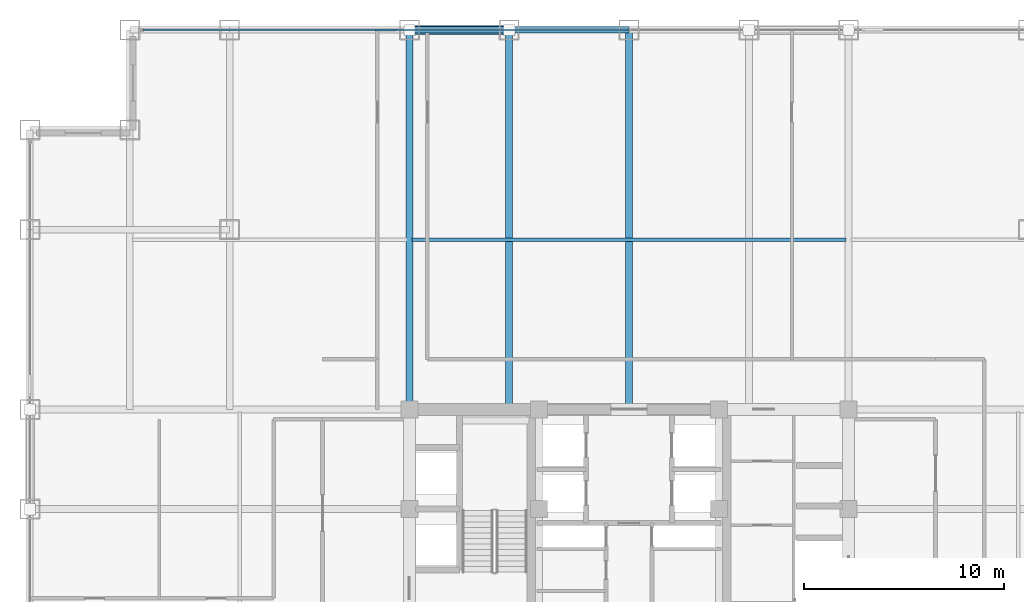
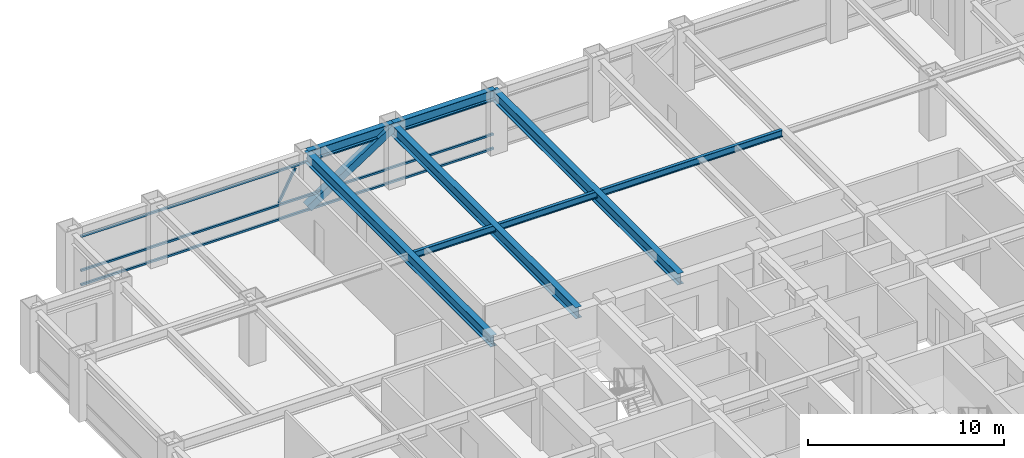
# One storey, part 15 of 24: 6 beams, 5 members, 1 element without a shape of its own.
"""IFC4 building model written with IfcOpenShell, lengths in metres."""

from ifc_helpers import new_model, si_unit, direction, frame, origin, origin_2d, place, context, subcontext, project, spatial, hollow_rectangle, i_section, extrude, source, transform, mapped, material, material_profile, profile_set, type_object, element, aggregate, save


model = new_model("IFC4")

# Units and contexts
model_context = context("Model", 3, precision=1e-05, world=origin(), true_north=direction((0.0, 1.0)))
body_context = subcontext(model_context, "Body", "Model", "MODEL_VIEW")
ifc_project = project(units=[si_unit("LENGTHUNIT", "METRE"), si_unit("AREAUNIT", "SQUARE_METRE"), si_unit("VOLUMEUNIT", "CUBIC_METRE"), si_unit("PLANEANGLEUNIT", "RADIAN"), si_unit("MASSUNIT", "GRAM", prefix="KILO")], contexts=[model_context])

# Site, building, storey
site_placement = place(None, origin())
site = spatial("IfcSite", under=ifc_project, at=site_placement, CompositionType="ELEMENT")
building_placement = place(site_placement, origin())
building = spatial("IfcBuilding", under=site, at=building_placement, Name="Khorayat Bourse Tower", CompositionType="ELEMENT")
storey_placement = place(building_placement, frame((0.0, 0.0, 215.10009765625)))
storey = spatial("IfcBuildingStorey", under=building, at=storey_placement, Name="L50", CompositionType="ELEMENT", Elevation=215.10009765625)

# Beams
ifc_material_1 = material(Name="Steel ASTM A992 Grade 50", Category="steel")
ifc_material_profile_1 = material_profile(ifc_material_1, i_section(OverallWidth=0.180908203125, OverallDepth=0.4169921875, WebThickness=0.010986328125, FlangeThickness=0.018310546875, FilletRadius=0.011962890625, at=origin_2d()), Name="W410X85")
ifc_profile_set_1 = profile_set([ifc_material_profile_1], Name="Steel ASTM A992 Grade 50")
beam_type_1 = type_object("IfcBeamType", Name="BM-JOIST-410", PredefinedType="JOIST", material=ifc_profile_set_1)
shared_shape_1 = source(origin(), body_context, "Body", "SweptSolid", [
    extrude(i_section(OverallWidth=0.180908203125, OverallDepth=0.4169921875, WebThickness=0.010986328125, FlangeThickness=0.018310546875, FilletRadius=0.011962890625, at=origin_2d()), origin(), (0.0, 0.0, 1.0), 21.740234375),
])
beam_1_placement = place(storey_placement, frame((-10.8701171875, 19.5, 3.5712890625), z_axis=(1.0, 0.0, 0.0), x_axis=(0.0, 1.0, 0.0)))
element("IfcBeam", 1, at=beam_1_placement, inside=storey, type_object=beam_type_1, Name="L50 BM-JOIST-410 BM-L50-JSTX-100", PredefinedType="JOIST", context=body_context, shape_type="MappedRepresentation", body=[
    mapped(shared_shape_1, transform((0.0, 0.0, 0.0), scale=1.0)),
])
ifc_material_profile_2 = material_profile(ifc_material_1, i_section(OverallWidth=0.324951171875, OverallDepth=0.615966796875, WebThickness=0.013916015625, FlangeThickness=0.021484375, FilletRadius=0.01611328125, at=origin_2d()), Name="W610X174")
ifc_profile_set_2 = profile_set([ifc_material_profile_2], Name="Steel ASTM A992 Grade 50")
beam_type_2 = type_object("IfcBeamType", Name="BM-SPAN-610", PredefinedType="SPANDREL", material=ifc_profile_set_2)
shared_shape_2 = source(origin(), body_context, "Body", "SweptSolid", [
    extrude(i_section(OverallWidth=0.324951171875, OverallDepth=0.615966796875, WebThickness=0.013916015625, FlangeThickness=0.021484375, FilletRadius=0.01611328125, at=origin_2d()), origin(), (0.0, 0.0, 1.0), 5.0),
])
beam_2_placement = place(storey_placement, frame((-11.0, 30.0, 3.471923828125), z_axis=(1.0, 0.0, 0.0), x_axis=(0.0, 1.0, 0.0)))
element("IfcBeam", 2, at=beam_2_placement, inside=storey, type_object=beam_type_2, Name="L50 BM-SPAN-610 BM-L50-SPN-049", PredefinedType="SPANDREL", context=body_context, shape_type="MappedRepresentation", body=[
    mapped(shared_shape_2, transform((0.0, 0.0, 0.0), scale=1.0)),
])
shared_shape_3 = source(origin(), body_context, "Body", "SweptSolid", [
    extrude(i_section(OverallWidth=0.324951171875, OverallDepth=0.615966796875, WebThickness=0.013916015625, FlangeThickness=0.021484375, FilletRadius=0.01611328125, at=origin_2d()), origin(), (0.0, 0.0, 1.0), 6.0),
])
beam_3_placement = place(storey_placement, frame((-6.0, 30.0, 3.471923828125), z_axis=(1.0, 0.0, 0.0), x_axis=(0.0, 1.0, 0.0)))
element("IfcBeam", 3, at=beam_3_placement, inside=storey, type_object=beam_type_2, Name="L50 BM-SPAN-610 BM-L50-SPN-048", PredefinedType="SPANDREL", context=body_context, shape_type="MappedRepresentation", body=[
    mapped(shared_shape_3, transform((0.0, 0.0, 0.0), scale=1.0)),
])
ifc_material_profile_3 = material_profile(ifc_material_1, i_section(OverallWidth=0.35498046875, OverallDepth=0.695068359375, WebThickness=0.015380859375, FlangeThickness=0.02490234375, FilletRadius=0.01806640625, at=origin_2d()), Name="W690X217")
ifc_profile_set_3 = profile_set([ifc_material_profile_3], Name="Steel ASTM A992 Grade 50")
beam_type_3 = type_object("IfcBeamType", Name="BM-GIRD-690", PredefinedType="BEAM", material=ifc_profile_set_3)
shared_shape_4 = source(origin(), body_context, "Body", "SweptSolid", [
    extrude(i_section(OverallWidth=0.35498046875, OverallDepth=0.695068359375, WebThickness=0.015380859375, FlangeThickness=0.02490234375, FilletRadius=0.01806640625, at=origin_2d()), origin(), (0.0, 0.0, 1.0), 19.0),
])
for number, where, z_axis, x_axis, name in (
    (4, (-11.0, 11.0, 3.432373046875), (0.0, 1.0, 0.0), (-1.0, 0.0, 0.0), "L50 BM-GIRD-690 BM-L50-RADY-064"),
    (5, (-6.0, 11.0, 3.432373046875), (0.0, 1.0, 0.0), (-1.0, 0.0, 0.0), "L50 BM-GIRD-690 BM-L50-RADY-066"),
    (6, (0.0, 11.0, 3.432373046875), (0.0, 1.0, 0.0), (-1.0, 0.0, 0.0), "L50 BM-GIRD-690 BM-L50-RADY-068"),
):
    element("IfcBeam", number, at=place(storey_placement, frame(where, z_axis=z_axis, x_axis=x_axis)), inside=storey, type_object=beam_type_3, Name=name, PredefinedType="BEAM", context=body_context, shape_type="MappedRepresentation", body=[
        mapped(shared_shape_4, transform((0.0, 0.0, 0.0), scale=1.0)),
    ])

# Member
ifc_material_2 = material(Name="Steel EN 10025-4 S460M", Category="steel")
ifc_material_profile_4 = material_profile(ifc_material_2, hollow_rectangle(XDim=0.449951171875, YDim=0.449951171875, WallThickness=0.02490234375, at=origin_2d()), Name="HSS 450x450x25")
ifc_profile_set_4 = profile_set([ifc_material_profile_4], Name="Steel EN 10025-4 S460M")
member_type_1 = type_object("IfcMemberType", Name="MBR-TUBE-450", PredefinedType="BRACE", material=ifc_profile_set_4)
shared_shape_5 = source(origin(), body_context, "Body", "SweptSolid", [
    extrude(hollow_rectangle(XDim=0.449951171875, YDim=0.449951171875, WallThickness=0.02490234375, at=origin_2d()), origin(), (0.0, 0.0, 1.0), 5.979736328125),
])
member_1_placement = place(storey_placement, frame((-11.0, 30.0, 0.25), z_axis=(0.836160261256, 0.0, 0.548485202623), x_axis=(0.0, 1.0, 0.0)))
element("IfcMember", 7, at=member_1_placement, inside=storey, type_object=member_type_1, Name="L50 Perimeter Tube Brace 03", PredefinedType="BRACE", context=body_context, shape_type="MappedRepresentation", body=[
    mapped(shared_shape_5, transform((0.0, 0.0, 0.0), scale=1.0)),
])

# Curtain wall, members
ifc_material_3 = material(Name="Aluminium EN AW-6063 T6", Category="aluminium")
curtain_wall_type = type_object("IfcCurtainWallType", Name="CW-SYS-03", PredefinedType="NOTDEFINED", material=ifc_material_3)
curtain_wall_placement = place(storey_placement, origin())
curtain_wall = element("IfcCurtainWall", 8, at=curtain_wall_placement, inside=storey, type_object=curtain_wall_type, Name="L50 Curtain Wall CW-L50-N1", PredefinedType="NOTDEFINED")
ifc_material_profile_5 = material_profile(ifc_material_3, hollow_rectangle(XDim=0.1201171875, YDim=0.1201171875, WallThickness=0.0048828125, at=origin_2d()), Name="ALU 120x120x5")
ifc_profile_set_5 = profile_set([ifc_material_profile_5], Name="Aluminium EN AW-6063 T6")
member_type_2 = type_object("IfcMemberType", Name="CWM-DIAG-120", PredefinedType="MULLION", material=ifc_profile_set_5)
shared_shape_6 = source(origin(), body_context, "Body", "SweptSolid", [
    extrude(hollow_rectangle(XDim=0.1201171875, YDim=0.1201171875, WallThickness=0.0048828125, at=origin_2d()), origin(), (0.0, 0.0, 1.0), 2.079345703125),
])
member_2_placement = place(storey_placement, frame((-12.67919921875, 30.0, 1.08984375), z_axis=(0.465760949701, 0.0, 0.884910581773), x_axis=(0.0, 1.0, 0.0)))
member_2 = element("IfcMember", 9, at=member_2_placement, type_object=member_type_2, Name="CW-L50-N1 Faceted Diagonal Mullion 1", PredefinedType="MULLION", context=body_context, shape_type="MappedRepresentation", body=[
    mapped(shared_shape_6, transform((0.0, 0.0, 0.0), scale=1.0)),
])
ifc_material_profile_6 = material_profile(ifc_material_3, hollow_rectangle(XDim=0.1201171875, YDim=0.1201171875, WallThickness=0.0048828125, at=origin_2d()), Name="ALU 120x120x5")
ifc_profile_set_6 = profile_set([ifc_material_profile_6], Name="Aluminium EN AW-6063 T6")
member_type_3 = type_object("IfcMemberType", Name="CWT-HORZ-120", PredefinedType="USERDEFINED", material=ifc_profile_set_6)
shared_shape_7 = source(origin(), body_context, "Body", "SweptSolid", [
    extrude(hollow_rectangle(XDim=0.1201171875, YDim=0.1201171875, WallThickness=0.0048828125, at=origin_2d()), origin(), (0.0, 0.0, 1.0), 24.27001953125),
])
member_3_placement = place(storey_placement, frame((-24.330078125, 30.0, 0.059814453125), z_axis=(1.0, 0.0, 0.0), x_axis=(0.0, 1.0, 0.0)))
member_3 = element("IfcMember", 10, at=member_3_placement, type_object=member_type_3, Name="CW-L50-N1 Horizontal Transom 1-1", ObjectType="TRANSOM", PredefinedType="USERDEFINED", context=body_context, shape_type="MappedRepresentation", body=[
    mapped(shared_shape_7, transform((0.0, 0.0, 0.0), scale=1.0)),
])
member_4_placement = place(storey_placement, frame((-24.330078125, 30.0, 0.949951171875), z_axis=(1.0, 0.0, 0.0), x_axis=(0.0, 1.0, 0.0)))
member_4 = element("IfcMember", 11, at=member_4_placement, type_object=member_type_3, Name="CW-L50-N1 Horizontal Transom 1-2", ObjectType="TRANSOM", PredefinedType="USERDEFINED", context=body_context, shape_type="MappedRepresentation", body=[
    mapped(shared_shape_7, transform((0.0, 0.0, 0.0), scale=1.0)),
])
member_5_placement = place(storey_placement, frame((-24.330078125, 30.0, 3.06982421875), z_axis=(1.0, 0.0, 0.0), x_axis=(0.0, 1.0, 0.0)))
member_5 = element("IfcMember", 12, at=member_5_placement, type_object=member_type_3, Name="CW-L50-N1 Horizontal Transom 1-3", ObjectType="TRANSOM", PredefinedType="USERDEFINED", context=body_context, shape_type="MappedRepresentation", body=[
    mapped(shared_shape_7, transform((0.0, 0.0, 0.0), scale=1.0)),
])
aggregate(curtain_wall, [member_3, member_4, member_5, member_2])

save(model, "model.ifc")
